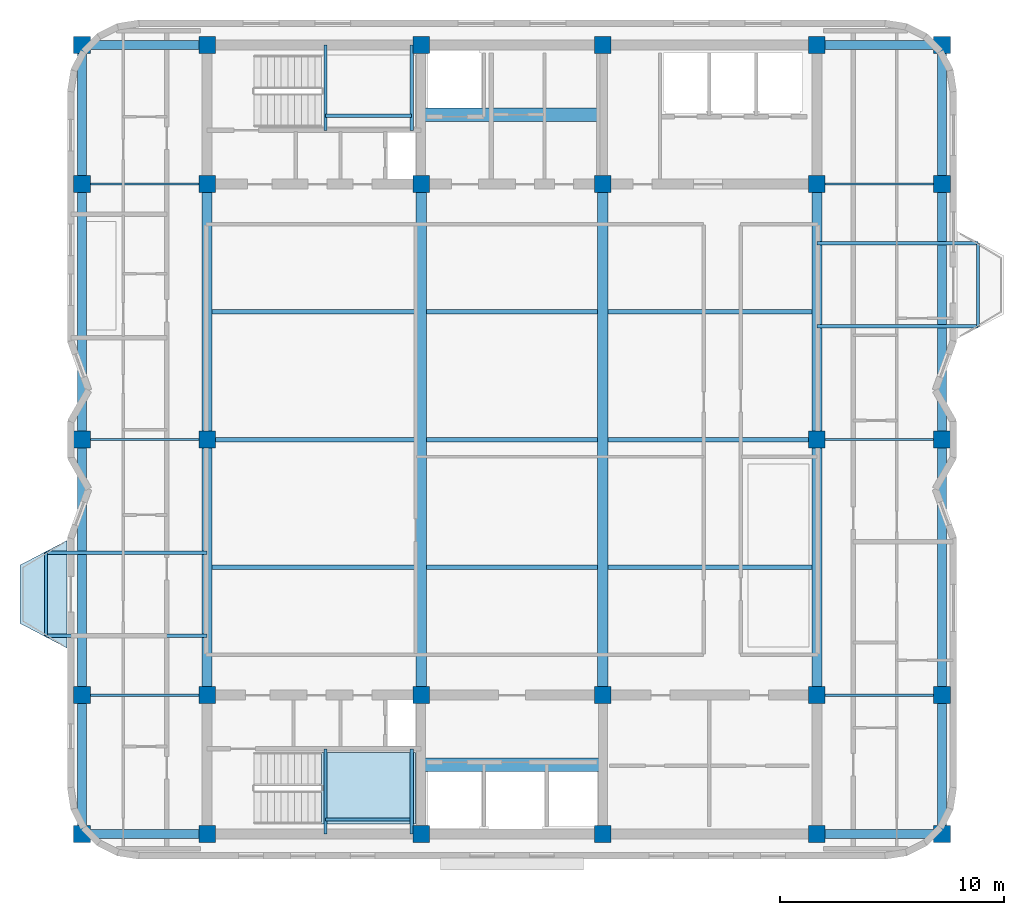
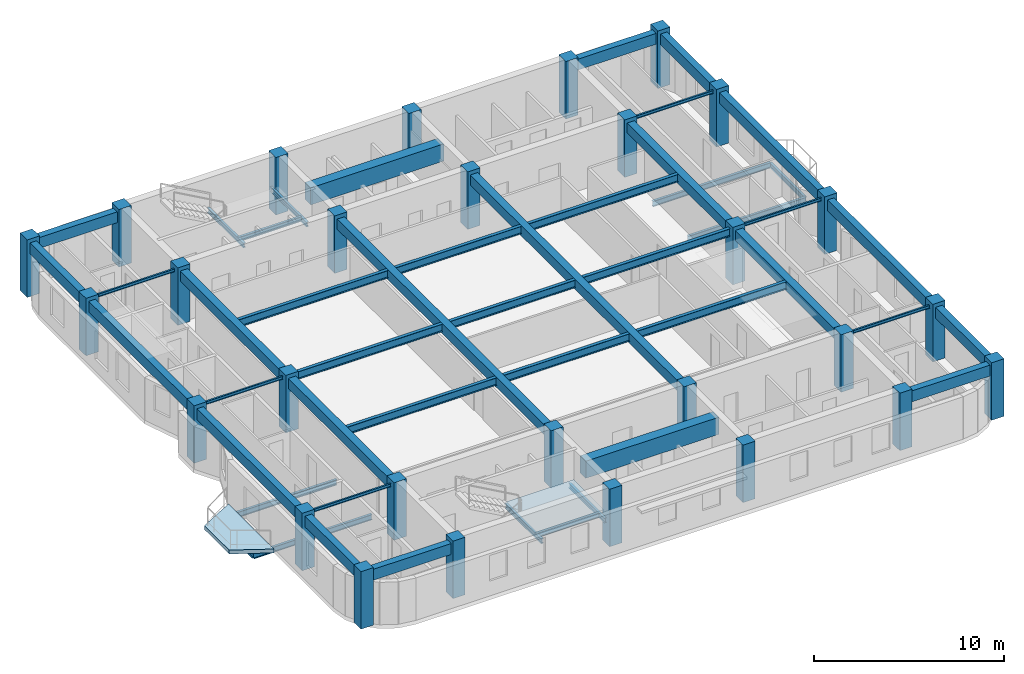
# One storey, part 1 of 9: 47 beams, 28 columns, 2 slabs, 1 element without a shape of its own.
"""IFC4 building model written with IfcOpenShell, lengths in metres."""

from ifc_helpers import new_model, si_unit, direction, frame, origin, origin_2d, place, context, subcontext, project, spatial, polyline, rectangle, i_section, outline, extrude, material, layer, layer_set, material_profile, profile_set, type_object, element, aggregate, save


model = new_model("IFC4")

# Units and contexts
model_context = context("Model", 3, precision=1e-05, world=origin(), true_north=direction((0.0, 1.0)))
body_context = subcontext(model_context, "Body", "Model", "MODEL_VIEW")
ifc_project = project(units=[si_unit("LENGTHUNIT", "METRE"), si_unit("AREAUNIT", "SQUARE_METRE"), si_unit("VOLUMEUNIT", "CUBIC_METRE"), si_unit("PLANEANGLEUNIT", "RADIAN"), si_unit("MASSUNIT", "GRAM", prefix="KILO")], contexts=[model_context])

# Site, building, storey
site_placement = place(None, origin())
site = spatial("IfcSite", under=ifc_project, at=site_placement, CompositionType="ELEMENT")
building_placement = place(site_placement, origin())
building = spatial("IfcBuilding", under=site, at=building_placement, Name="Svetorya Sky Lyceum", CompositionType="ELEMENT")
storey_placement = place(building_placement, frame((0.0, 0.0, 271.300048828125)))
storey = spatial("IfcBuildingStorey", under=building, at=storey_placement, Name="L68", CompositionType="ELEMENT", Elevation=271.300048828125)

# Columns
ifc_material_1 = material(Name="Concrete C40/50", Category="concrete")
ifc_material_profile_1 = material_profile(ifc_material_1, rectangle(XDim=0.75, YDim=0.75, at=origin_2d()), Name="RC COL 750x750")
ifc_profile_set_1 = profile_set([ifc_material_profile_1], Name="Concrete C40/50")
column_type = type_object("IfcColumnType", Name="COL-RC-750", PredefinedType="COLUMN", material=ifc_profile_set_1)
for number, where, z_axis, x_axis, name in (
    (1, (25.60009765625, 10.60009765625, 0.0), (0.0, 0.0, 1.0), (1.0, 0.0, 0.0), "L68 Core Column CS-11"),
    (2, (25.60009765625, 16.800048828125, 0.0), (0.0, 0.0, 1.0), (1.0, 0.0, 0.0), "L68 Core Column CS-12"),
    (3, (35.14990234375, 10.60009765625, 0.0), (0.0, 0.0, 1.0), (1.0, 0.0, 0.0), "L68 Core Column CS-21"),
    (4, (35.14990234375, 16.800048828125, 0.0), (0.0, 0.0, 1.0), (1.0, 0.0, 0.0), "L68 Core Column CS-22"),
    (5, (43.25, 10.60009765625, 0.0), (0.0, 0.0, 1.0), (1.0, 0.0, 0.0), "L68 Core Column CS-31"),
    (6, (43.25, 16.800048828125, 0.0), (0.0, 0.0, 1.0), (1.0, 0.0, 0.0), "L68 Core Column CS-32"),
    (7, (52.800048828125, 10.60009765625, 0.0), (0.0, 0.0, 1.0), (1.0, 0.0, 0.0), "L68 Core Column CS-41"),
    (8, (52.800048828125, 16.800048828125, 0.0), (0.0, 0.0, 1.0), (1.0, 0.0, 0.0), "L68 Core Column CS-42"),
    (9, (25.60009765625, 39.60009765625, 0.0), (0.0, 0.0, 1.0), (1.0, 0.0, 0.0), "L68 Core Column CN-11"),
    (10, (25.60009765625, 45.800048828125, 0.0), (0.0, 0.0, 1.0), (1.0, 0.0, 0.0), "L68 Core Column CN-12"),
    (11, (35.14990234375, 39.60009765625, 0.0), (0.0, 0.0, 1.0), (1.0, 0.0, 0.0), "L68 Core Column CN-21"),
    (12, (35.14990234375, 45.800048828125, 0.0), (0.0, 0.0, 1.0), (1.0, 0.0, 0.0), "L68 Core Column CN-22"),
    (13, (43.25, 39.60009765625, 0.0), (0.0, 0.0, 1.0), (1.0, 0.0, 0.0), "L68 Core Column CN-31"),
    (14, (43.25, 45.800048828125, 0.0), (0.0, 0.0, 1.0), (1.0, 0.0, 0.0), "L68 Core Column CN-32"),
    (15, (52.800048828125, 39.60009765625, 0.0), (0.0, 0.0, 1.0), (1.0, 0.0, 0.0), "L68 Core Column CN-41"),
    (16, (52.800048828125, 45.800048828125, 0.0), (0.0, 0.0, 1.0), (1.0, 0.0, 0.0), "L68 Core Column CN-42"),
    (17, (25.60009765625, 28.199951171875, 0.0), (0.0, 0.0, 1.0), (1.0, 0.0, 0.0), "L68 Core Column CM-W"),
    (18, (52.800048828125, 28.199951171875, 0.0), (0.0, 0.0, 1.0), (1.0, 0.0, 0.0), "L68 Core Column CM-E"),
    (19, (20.010009765625, 10.60009765625, 0.0), (0.0, 0.0, 1.0), (1.0, 0.0, 0.0), "L68 Perimeter Column W1"),
    (20, (58.389892578125, 10.60009765625, 0.0), (0.0, 0.0, 1.0), (1.0, 0.0, 0.0), "L68 Perimeter Column E1"),
    (21, (20.010009765625, 16.800048828125, 0.0), (0.0, 0.0, 1.0), (1.0, 0.0, 0.0), "L68 Perimeter Column W2"),
    (22, (58.389892578125, 16.800048828125, 0.0), (0.0, 0.0, 1.0), (1.0, 0.0, 0.0), "L68 Perimeter Column E2"),
    (23, (20.010009765625, 28.199951171875, 0.0), (0.0, 0.0, 1.0), (1.0, 0.0, 0.0), "L68 Perimeter Column W3"),
    (24, (58.389892578125, 28.199951171875, 0.0), (0.0, 0.0, 1.0), (1.0, 0.0, 0.0), "L68 Perimeter Column E3"),
    (25, (20.010009765625, 39.60009765625, 0.0), (0.0, 0.0, 1.0), (1.0, 0.0, 0.0), "L68 Perimeter Column W4"),
    (26, (58.389892578125, 39.60009765625, 0.0), (0.0, 0.0, 1.0), (1.0, 0.0, 0.0), "L68 Perimeter Column E4"),
    (27, (20.010009765625, 45.800048828125, 0.0), (0.0, 0.0, 1.0), (1.0, 0.0, 0.0), "L68 Perimeter Column W5"),
    (28, (58.389892578125, 45.800048828125, 0.0), (0.0, 0.0, 1.0), (1.0, 0.0, 0.0), "L68 Perimeter Column E5"),
):
    element("IfcColumn", number, at=place(storey_placement, frame(where, z_axis=z_axis, x_axis=x_axis)), inside=storey, type_object=column_type, Name=name, PredefinedType="COLUMN", context=body_context, shape_type="SweptSolid", body=[
        extrude(rectangle(XDim=0.75, YDim=0.75, at=origin_2d()), origin(), (0.0, 0.0, 1.0), 3.699951171875),
    ])

# Beams
ifc_material_2 = material(Name="Concrete C60/75", Category="concrete")
ifc_material_profile_2 = material_profile(ifc_material_2, rectangle(XDim=0.60009765625, YDim=1.10009765625, at=origin_2d()), Name="RC COUPLING 600x1100")
ifc_profile_set_2 = profile_set([ifc_material_profile_2], Name="Concrete C60/75")
beam_type_1 = type_object("IfcBeamType", Name="BM-CPL-1100", PredefinedType="LINTEL", material=ifc_profile_set_2)
for number, where, z_axis, x_axis, name in (
    (29, (35.14990234375, 13.699951171875, 2.89990234375), (1.0, 0.0, 0.0), (0.0, 1.0, 0.0), "L68 SC Core Coupling Beam"),
    (30, (35.14990234375, 42.699951171875, 2.89990234375), (1.0, 0.0, 0.0), (0.0, 1.0, 0.0), "L68 NC Core Coupling Beam"),
):
    element("IfcBeam", number, at=place(storey_placement, frame(where, z_axis=z_axis, x_axis=x_axis)), inside=storey, type_object=beam_type_1, Name=name, PredefinedType="LINTEL", context=body_context, shape_type="SweptSolid", body=[
        extrude(rectangle(XDim=0.60009765625, YDim=1.10009765625, at=origin_2d()), origin(), (0.0, 0.0, 1.0), 8.10009765625),
    ])
ifc_material_profile_3 = material_profile(ifc_material_1, rectangle(XDim=0.449951171875, YDim=0.64990234375, at=origin_2d()), Name="RC BEAM 450x650")
ifc_profile_set_3 = profile_set([ifc_material_profile_3], Name="Concrete C40/50")
beam_type_2 = type_object("IfcBeamType", Name="BM-RC-650", PredefinedType="BEAM", material=ifc_profile_set_3)
beam_1_placement = place(storey_placement, frame((25.60009765625, 16.800048828125, 3.125), z_axis=(0.0, 1.0, 0.0), x_axis=(-1.0, 0.0, 0.0)))
element("IfcBeam", 31, at=beam_1_placement, inside=storey, type_object=beam_type_2, Name="L68 Central Bay Primary Girder CG-1A", PredefinedType="BEAM", context=body_context, shape_type="SweptSolid", body=[
    extrude(rectangle(XDim=0.449951171875, YDim=0.64990234375, at=origin_2d()), origin(), (0.0, 0.0, 1.0), 11.39990234375),
])
beam_2_placement = place(storey_placement, frame((25.60009765625, 28.199951171875, 3.125), z_axis=(0.0, 1.0, 0.0), x_axis=(-1.0, 0.0, 0.0)))
element("IfcBeam", 32, at=beam_2_placement, inside=storey, type_object=beam_type_2, Name="L68 Central Bay Primary Girder CG-1B", PredefinedType="BEAM", context=body_context, shape_type="SweptSolid", body=[
    extrude(rectangle(XDim=0.449951171875, YDim=0.64990234375, at=origin_2d()), origin(), (0.0, 0.0, 1.0), 11.400146484375),
])
for number, where, z_axis, x_axis, name in (
    (33, (35.14990234375, 16.800048828125, 3.125), (0.0, 1.0, 0.0), (-1.0, 0.0, 0.0), "L68 Central Bay Primary Girder CG-2"),
    (34, (43.25, 16.800048828125, 3.125), (0.0, 1.0, 0.0), (-1.0, 0.0, 0.0), "L68 Central Bay Primary Girder CG-3"),
):
    element("IfcBeam", number, at=place(storey_placement, frame(where, z_axis=z_axis, x_axis=x_axis)), inside=storey, type_object=beam_type_2, Name=name, PredefinedType="BEAM", context=body_context, shape_type="SweptSolid", body=[
        extrude(rectangle(XDim=0.449951171875, YDim=0.64990234375, at=origin_2d()), origin(), (0.0, 0.0, 1.0), 22.800048828125),
    ])
beam_3_placement = place(storey_placement, frame((52.800048828125, 16.800048828125, 3.125), z_axis=(0.0, 1.0, 0.0), x_axis=(-1.0, 0.0, 0.0)))
element("IfcBeam", 35, at=beam_3_placement, inside=storey, type_object=beam_type_2, Name="L68 Central Bay Primary Girder CG-4A", PredefinedType="BEAM", context=body_context, shape_type="SweptSolid", body=[
    extrude(rectangle(XDim=0.449951171875, YDim=0.64990234375, at=origin_2d()), origin(), (0.0, 0.0, 1.0), 11.39990234375),
])
beam_4_placement = place(storey_placement, frame((52.800048828125, 28.199951171875, 3.125), z_axis=(0.0, 1.0, 0.0), x_axis=(-1.0, 0.0, 0.0)))
element("IfcBeam", 36, at=beam_4_placement, inside=storey, type_object=beam_type_2, Name="L68 Central Bay Primary Girder CG-4B", PredefinedType="BEAM", context=body_context, shape_type="SweptSolid", body=[
    extrude(rectangle(XDim=0.449951171875, YDim=0.64990234375, at=origin_2d()), origin(), (0.0, 0.0, 1.0), 11.400146484375),
])
ifc_material_3 = material(Name="Concrete C50/60", Category="concrete")
ifc_material_profile_4 = material_profile(ifc_material_3, rectangle(XDim=0.39990234375, YDim=0.699951171875, at=origin_2d()), Name="RC SPANDREL 400x700")
ifc_profile_set_4 = profile_set([ifc_material_profile_4], Name="Concrete C50/60")
beam_type_3 = type_object("IfcBeamType", Name="BM-SPN-700", PredefinedType="SPANDREL", material=ifc_profile_set_4)
for number, where, z_axis, x_axis, name in (
    (37, (20.010009765625, 10.60009765625, 3.099853515625), (1.0, 0.0, 0.0), (0.0, 1.0, 0.0), "L68 Tie Spandrel SW"),
    (38, (20.010009765625, 45.800048828125, 3.099853515625), (1.0, 0.0, 0.0), (0.0, 1.0, 0.0), "L68 Tie Spandrel NW"),
):
    element("IfcBeam", number, at=place(storey_placement, frame(where, z_axis=z_axis, x_axis=x_axis)), inside=storey, type_object=beam_type_3, Name=name, PredefinedType="SPANDREL", context=body_context, shape_type="SweptSolid", body=[
        extrude(rectangle(XDim=0.39990234375, YDim=0.699951171875, at=origin_2d()), origin(), (0.0, 0.0, 1.0), 5.590087890625),
    ])
for number, where, z_axis, x_axis, name in (
    (39, (52.800048828125, 10.60009765625, 3.099853515625), (1.0, 0.0, 0.0), (0.0, 1.0, 0.0), "L68 Tie Spandrel SE"),
    (40, (52.800048828125, 45.800048828125, 3.099853515625), (1.0, 0.0, 0.0), (0.0, 1.0, 0.0), "L68 Tie Spandrel NE"),
):
    element("IfcBeam", number, at=place(storey_placement, frame(where, z_axis=z_axis, x_axis=x_axis)), inside=storey, type_object=beam_type_3, Name=name, PredefinedType="SPANDREL", context=body_context, shape_type="SweptSolid", body=[
        extrude(rectangle(XDim=0.39990234375, YDim=0.699951171875, at=origin_2d()), origin(), (0.0, 0.0, 1.0), 5.58984375),
    ])
beam_5_placement = place(storey_placement, frame((20.010009765625, 10.60009765625, 3.099853515625), z_axis=(0.0, 1.0, 0.0), x_axis=(-1.0, 0.0, 0.0)))
element("IfcBeam", 41, at=beam_5_placement, inside=storey, type_object=beam_type_3, Name="L68 West Spandrel 1", PredefinedType="SPANDREL", context=body_context, shape_type="SweptSolid", body=[
    extrude(rectangle(XDim=0.39990234375, YDim=0.699951171875, at=origin_2d()), origin(), (0.0, 0.0, 1.0), 6.199951171875),
])
beam_6_placement = place(storey_placement, frame((20.010009765625, 16.800048828125, 3.099853515625), z_axis=(0.0, 1.0, 0.0), x_axis=(-1.0, 0.0, 0.0)))
element("IfcBeam", 42, at=beam_6_placement, inside=storey, type_object=beam_type_3, Name="L68 West Spandrel 2", PredefinedType="SPANDREL", context=body_context, shape_type="SweptSolid", body=[
    extrude(rectangle(XDim=0.39990234375, YDim=0.699951171875, at=origin_2d()), origin(), (0.0, 0.0, 1.0), 11.39990234375),
])
beam_7_placement = place(storey_placement, frame((20.010009765625, 28.199951171875, 3.099853515625), z_axis=(0.0, 1.0, 0.0), x_axis=(-1.0, 0.0, 0.0)))
element("IfcBeam", 43, at=beam_7_placement, inside=storey, type_object=beam_type_3, Name="L68 West Spandrel 3", PredefinedType="SPANDREL", context=body_context, shape_type="SweptSolid", body=[
    extrude(rectangle(XDim=0.39990234375, YDim=0.699951171875, at=origin_2d()), origin(), (0.0, 0.0, 1.0), 11.400146484375),
])
for number, where, z_axis, x_axis, name in (
    (44, (20.010009765625, 39.60009765625, 3.099853515625), (0.0, 1.0, 0.0), (-1.0, 0.0, 0.0), "L68 West Spandrel 4"),
    (45, (58.389892578125, 10.60009765625, 3.099853515625), (0.0, 1.0, 0.0), (-1.0, 0.0, 0.0), "L68 East Spandrel 1"),
):
    element("IfcBeam", number, at=place(storey_placement, frame(where, z_axis=z_axis, x_axis=x_axis)), inside=storey, type_object=beam_type_3, Name=name, PredefinedType="SPANDREL", context=body_context, shape_type="SweptSolid", body=[
        extrude(rectangle(XDim=0.39990234375, YDim=0.699951171875, at=origin_2d()), origin(), (0.0, 0.0, 1.0), 6.199951171875),
    ])
beam_8_placement = place(storey_placement, frame((58.389892578125, 16.800048828125, 3.099853515625), z_axis=(0.0, 1.0, 0.0), x_axis=(-1.0, 0.0, 0.0)))
element("IfcBeam", 46, at=beam_8_placement, inside=storey, type_object=beam_type_3, Name="L68 East Spandrel 2", PredefinedType="SPANDREL", context=body_context, shape_type="SweptSolid", body=[
    extrude(rectangle(XDim=0.39990234375, YDim=0.699951171875, at=origin_2d()), origin(), (0.0, 0.0, 1.0), 11.39990234375),
])
beam_9_placement = place(storey_placement, frame((58.389892578125, 28.199951171875, 3.099853515625), z_axis=(0.0, 1.0, 0.0), x_axis=(-1.0, 0.0, 0.0)))
element("IfcBeam", 47, at=beam_9_placement, inside=storey, type_object=beam_type_3, Name="L68 East Spandrel 3", PredefinedType="SPANDREL", context=body_context, shape_type="SweptSolid", body=[
    extrude(rectangle(XDim=0.39990234375, YDim=0.699951171875, at=origin_2d()), origin(), (0.0, 0.0, 1.0), 11.400146484375),
])
beam_10_placement = place(storey_placement, frame((58.389892578125, 39.60009765625, 3.099853515625), z_axis=(0.0, 1.0, 0.0), x_axis=(-1.0, 0.0, 0.0)))
element("IfcBeam", 48, at=beam_10_placement, inside=storey, type_object=beam_type_3, Name="L68 East Spandrel 4", PredefinedType="SPANDREL", context=body_context, shape_type="SweptSolid", body=[
    extrude(rectangle(XDim=0.39990234375, YDim=0.699951171875, at=origin_2d()), origin(), (0.0, 0.0, 1.0), 6.199951171875),
])
ifc_material_4 = material(Name="Steel S355", Category="steel")
ifc_material_profile_5 = material_profile(ifc_material_4, i_section(OverallWidth=0.10009765625, OverallDepth=0.199951171875, WebThickness=0.005615234375, FlangeThickness=0.008544921875, at=origin_2d()), Name="GOST 20B1")
ifc_profile_set_5 = profile_set([ifc_material_profile_5], Name="Steel S355")
beam_type_4 = type_object("IfcBeamType", Name="BM-STL-20B1", PredefinedType="JOIST", material=ifc_profile_set_5)
beam_11_placement = place(storey_placement, frame((20.010009765625, 16.800048828125, 3.349853515625), z_axis=(1.0, 0.0, 0.0), x_axis=(0.0, 1.0, 0.0)))
element("IfcBeam", 49, at=beam_11_placement, inside=storey, type_object=beam_type_4, Name="L68 West Wing Floor Joist W2", PredefinedType="JOIST", context=body_context, shape_type="SweptSolid", body=[
    extrude(i_section(OverallWidth=0.10009765625, OverallDepth=0.199951171875, WebThickness=0.005615234375, FlangeThickness=0.008544921875, at=origin_2d()), origin(), (0.0, 0.0, 1.0), 5.590087890625),
])
beam_12_placement = place(storey_placement, frame((52.800048828125, 16.800048828125, 3.349853515625), z_axis=(1.0, 0.0, 0.0), x_axis=(0.0, 1.0, 0.0)))
element("IfcBeam", 50, at=beam_12_placement, inside=storey, type_object=beam_type_4, Name="L68 East Wing Floor Joist E2", PredefinedType="JOIST", context=body_context, shape_type="SweptSolid", body=[
    extrude(i_section(OverallWidth=0.10009765625, OverallDepth=0.199951171875, WebThickness=0.005615234375, FlangeThickness=0.008544921875, at=origin_2d()), origin(), (0.0, 0.0, 1.0), 5.58984375),
])
beam_13_placement = place(storey_placement, frame((20.010009765625, 28.199951171875, 3.349853515625), z_axis=(1.0, 0.0, 0.0), x_axis=(0.0, 1.0, 0.0)))
element("IfcBeam", 51, at=beam_13_placement, inside=storey, type_object=beam_type_4, Name="L68 West Wing Floor Joist W3", PredefinedType="JOIST", context=body_context, shape_type="SweptSolid", body=[
    extrude(i_section(OverallWidth=0.10009765625, OverallDepth=0.199951171875, WebThickness=0.005615234375, FlangeThickness=0.008544921875, at=origin_2d()), origin(), (0.0, 0.0, 1.0), 5.590087890625),
])
beam_14_placement = place(storey_placement, frame((52.800048828125, 28.199951171875, 3.349853515625), z_axis=(1.0, 0.0, 0.0), x_axis=(0.0, 1.0, 0.0)))
element("IfcBeam", 52, at=beam_14_placement, inside=storey, type_object=beam_type_4, Name="L68 East Wing Floor Joist E3", PredefinedType="JOIST", context=body_context, shape_type="SweptSolid", body=[
    extrude(i_section(OverallWidth=0.10009765625, OverallDepth=0.199951171875, WebThickness=0.005615234375, FlangeThickness=0.008544921875, at=origin_2d()), origin(), (0.0, 0.0, 1.0), 5.58984375),
])
beam_15_placement = place(storey_placement, frame((20.010009765625, 39.60009765625, 3.349853515625), z_axis=(1.0, 0.0, 0.0), x_axis=(0.0, 1.0, 0.0)))
element("IfcBeam", 53, at=beam_15_placement, inside=storey, type_object=beam_type_4, Name="L68 West Wing Floor Joist W4", PredefinedType="JOIST", context=body_context, shape_type="SweptSolid", body=[
    extrude(i_section(OverallWidth=0.10009765625, OverallDepth=0.199951171875, WebThickness=0.005615234375, FlangeThickness=0.008544921875, at=origin_2d()), origin(), (0.0, 0.0, 1.0), 5.590087890625),
])
beam_16_placement = place(storey_placement, frame((52.800048828125, 39.60009765625, 3.349853515625), z_axis=(1.0, 0.0, 0.0), x_axis=(0.0, 1.0, 0.0)))
element("IfcBeam", 54, at=beam_16_placement, inside=storey, type_object=beam_type_4, Name="L68 East Wing Floor Joist E4", PredefinedType="JOIST", context=body_context, shape_type="SweptSolid", body=[
    extrude(i_section(OverallWidth=0.10009765625, OverallDepth=0.199951171875, WebThickness=0.005615234375, FlangeThickness=0.008544921875, at=origin_2d()), origin(), (0.0, 0.0, 1.0), 5.58984375),
])
ifc_material_profile_6 = material_profile(ifc_material_4, i_section(OverallWidth=0.14990234375, OverallDepth=0.299072265625, WebThickness=0.006591796875, FlangeThickness=0.010498046875, at=origin_2d()), Name="GOST 30B2")
ifc_profile_set_6 = profile_set([ifc_material_profile_6], Name="Steel S355")
beam_type_5 = type_object("IfcBeamType", Name="BM-STL-30B2", PredefinedType="JOIST", material=ifc_profile_set_6)
for number, where, z_axis, x_axis, name in (
    (55, (18.409912109375, 19.449951171875, -0.424560546875), (0.0, 1.0, 0.0), (-1.0, 0.0, 0.0), "L68 Balcony Edge Tie BAL-W1"),
    (56, (59.989990234375, 33.25, -0.424560546875), (0.0, 1.0, 0.0), (-1.0, 0.0, 0.0), "L68 Balcony Edge Tie BAL-E1"),
):
    element("IfcBeam", number, at=place(storey_placement, frame(where, z_axis=z_axis, x_axis=x_axis)), inside=storey, type_object=beam_type_5, Name=name, PredefinedType="JOIST", context=body_context, shape_type="SweptSolid", body=[
        extrude(i_section(OverallWidth=0.14990234375, OverallDepth=0.299072265625, WebThickness=0.006591796875, FlangeThickness=0.010498046875, at=origin_2d()), origin(), (0.0, 0.0, 1.0), 3.699951171875),
    ])
for number, where, z_axis, x_axis, name in (
    (57, (30.8798828125, 10.60009765625, 1.50048828125), (0.0, 1.0, 0.0), (-1.0, 0.0, 0.0), "L68 Stair ST-S Half-Landing Support Beam 76.1"),
    (58, (34.719970703125, 10.60009765625, 1.50048828125), (0.0, 1.0, 0.0), (-1.0, 0.0, 0.0), "L68 Stair ST-S Half-Landing Support Beam 76.2"),
):
    element("IfcBeam", number, at=place(storey_placement, frame(where, z_axis=z_axis, x_axis=x_axis)), inside=storey, type_object=beam_type_5, Name=name, PredefinedType="JOIST", context=body_context, shape_type="SweptSolid", body=[
        extrude(i_section(OverallWidth=0.14990234375, OverallDepth=0.299072265625, WebThickness=0.006591796875, FlangeThickness=0.010498046875, at=origin_2d()), origin(), (0.0, 0.0, 1.0), 3.7998046875),
    ])
beam_17_placement = place(storey_placement, frame((30.8798828125, 11.25, 1.50048828125), z_axis=(1.0, 0.0, 0.0), x_axis=(0.0, 1.0, 0.0)))
element("IfcBeam", 59, at=beam_17_placement, inside=storey, type_object=beam_type_5, Name="L68 Stair ST-S Half-Landing Cross Tie 76", PredefinedType="JOIST", context=body_context, shape_type="SweptSolid", body=[
    extrude(i_section(OverallWidth=0.14990234375, OverallDepth=0.299072265625, WebThickness=0.006591796875, FlangeThickness=0.010498046875, at=origin_2d()), origin(), (0.0, 0.0, 1.0), 3.840087890625),
])
for number, where, z_axis, x_axis, name in (
    (60, (30.8798828125, 42.0, 1.50048828125), (0.0, 1.0, 0.0), (-1.0, 0.0, 0.0), "L68 Stair ST-N Half-Landing Support Beam 76.1"),
    (61, (34.719970703125, 42.0, 1.50048828125), (0.0, 1.0, 0.0), (-1.0, 0.0, 0.0), "L68 Stair ST-N Half-Landing Support Beam 76.2"),
):
    element("IfcBeam", number, at=place(storey_placement, frame(where, z_axis=z_axis, x_axis=x_axis)), inside=storey, type_object=beam_type_5, Name=name, PredefinedType="JOIST", context=body_context, shape_type="SweptSolid", body=[
        extrude(i_section(OverallWidth=0.14990234375, OverallDepth=0.299072265625, WebThickness=0.006591796875, FlangeThickness=0.010498046875, at=origin_2d()), origin(), (0.0, 0.0, 1.0), 3.800048828125),
    ])
beam_18_placement = place(storey_placement, frame((30.8798828125, 42.64990234375, 1.50048828125), z_axis=(1.0, 0.0, 0.0), x_axis=(0.0, 1.0, 0.0)))
element("IfcBeam", 62, at=beam_18_placement, inside=storey, type_object=beam_type_5, Name="L68 Stair ST-N Half-Landing Cross Tie 76", PredefinedType="JOIST", context=body_context, shape_type="SweptSolid", body=[
    extrude(i_section(OverallWidth=0.14990234375, OverallDepth=0.299072265625, WebThickness=0.006591796875, FlangeThickness=0.010498046875, at=origin_2d()), origin(), (0.0, 0.0, 1.0), 3.840087890625),
])
ifc_material_profile_7 = material_profile(ifc_material_4, i_section(OverallWidth=0.155029296875, OverallDepth=0.34912109375, WebThickness=0.007080078125, FlangeThickness=0.011474609375, at=origin_2d()), Name="GOST 35B2")
ifc_profile_set_7 = profile_set([ifc_material_profile_7], Name="Steel S355")
beam_type_6 = type_object("IfcBeamType", Name="BM-STL-35B2", PredefinedType="JOIST", material=ifc_profile_set_7)
for number, where, z_axis, x_axis, name in (
    (63, (25.60009765625, 19.449951171875, -0.424560546875), (-1.0, 0.0, 0.0), (0.0, -1.0, 0.0), "L68 Balcony Cantilever Beam BAL-W1-1"),
    (64, (25.60009765625, 23.14990234375, -0.424560546875), (-1.0, 0.0, 0.0), (0.0, -1.0, 0.0), "L68 Balcony Cantilever Beam BAL-W1-2"),
):
    element("IfcBeam", number, at=place(storey_placement, frame(where, z_axis=z_axis, x_axis=x_axis)), inside=storey, type_object=beam_type_6, Name=name, PredefinedType="JOIST", context=body_context, shape_type="SweptSolid", body=[
        extrude(i_section(OverallWidth=0.155029296875, OverallDepth=0.34912109375, WebThickness=0.007080078125, FlangeThickness=0.011474609375, at=origin_2d()), origin(), (0.0, 0.0, 1.0), 7.190185546875),
    ])
for number, where, z_axis, x_axis, name in (
    (65, (52.800048828125, 33.25, -0.424560546875), (1.0, 0.0, 0.0), (0.0, 1.0, 0.0), "L68 Balcony Cantilever Beam BAL-E1-1"),
    (66, (52.800048828125, 36.949951171875, -0.424560546875), (1.0, 0.0, 0.0), (0.0, 1.0, 0.0), "L68 Balcony Cantilever Beam BAL-E1-2"),
):
    element("IfcBeam", number, at=place(storey_placement, frame(where, z_axis=z_axis, x_axis=x_axis)), inside=storey, type_object=beam_type_6, Name=name, PredefinedType="JOIST", context=body_context, shape_type="SweptSolid", body=[
        extrude(i_section(OverallWidth=0.155029296875, OverallDepth=0.34912109375, WebThickness=0.007080078125, FlangeThickness=0.011474609375, at=origin_2d()), origin(), (0.0, 0.0, 1.0), 7.18994140625),
    ])
ifc_material_profile_8 = material_profile(ifc_material_4, i_section(OverallWidth=0.198974609375, OverallDepth=0.498046875, WebThickness=0.010009765625, FlangeThickness=0.01611328125, at=origin_2d()), Name="GOST 50B2")
ifc_profile_set_8 = profile_set([ifc_material_profile_8], Name="Steel S355")
beam_type_7 = type_object("IfcBeamType", Name="BM-STL-50B2", PredefinedType="BEAM", material=ifc_profile_set_8)
beam_19_placement = place(storey_placement, frame((25.824951171875, 22.5, 3.200927734375), z_axis=(1.0, 0.0, 0.0), x_axis=(0.0, 1.0, 0.0)))
element("IfcBeam", 67, at=beam_19_placement, inside=storey, type_object=beam_type_7, Name="L68 Central Floor Joist CJ-1.1", PredefinedType="BEAM", context=body_context, shape_type="SweptSolid", body=[
    extrude(i_section(OverallWidth=0.198974609375, OverallDepth=0.498046875, WebThickness=0.010009765625, FlangeThickness=0.01611328125, at=origin_2d()), origin(), (0.0, 0.0, 1.0), 9.10009765625),
])
beam_20_placement = place(storey_placement, frame((35.375, 22.5, 3.200927734375), z_axis=(1.0, 0.0, 0.0), x_axis=(0.0, 1.0, 0.0)))
element("IfcBeam", 68, at=beam_20_placement, inside=storey, type_object=beam_type_7, Name="L68 Central Floor Joist CJ-1.2", PredefinedType="BEAM", context=body_context, shape_type="SweptSolid", body=[
    extrude(i_section(OverallWidth=0.198974609375, OverallDepth=0.498046875, WebThickness=0.010009765625, FlangeThickness=0.01611328125, at=origin_2d()), origin(), (0.0, 0.0, 1.0), 7.64990234375),
])
beam_21_placement = place(storey_placement, frame((43.47509765625, 22.5, 3.200927734375), z_axis=(1.0, 0.0, 0.0), x_axis=(0.0, 1.0, 0.0)))
element("IfcBeam", 69, at=beam_21_placement, inside=storey, type_object=beam_type_7, Name="L68 Central Floor Joist CJ-1.3", PredefinedType="BEAM", context=body_context, shape_type="SweptSolid", body=[
    extrude(i_section(OverallWidth=0.198974609375, OverallDepth=0.498046875, WebThickness=0.010009765625, FlangeThickness=0.01611328125, at=origin_2d()), origin(), (0.0, 0.0, 1.0), 9.099853515625),
])
beam_22_placement = place(storey_placement, frame((25.824951171875, 28.199951171875, 3.200927734375), z_axis=(1.0, 0.0, 0.0), x_axis=(0.0, 1.0, 0.0)))
element("IfcBeam", 70, at=beam_22_placement, inside=storey, type_object=beam_type_7, Name="L68 Central Floor Joist CJ-2.1", PredefinedType="BEAM", context=body_context, shape_type="SweptSolid", body=[
    extrude(i_section(OverallWidth=0.198974609375, OverallDepth=0.498046875, WebThickness=0.010009765625, FlangeThickness=0.01611328125, at=origin_2d()), origin(), (0.0, 0.0, 1.0), 9.10009765625),
])
beam_23_placement = place(storey_placement, frame((35.375, 28.199951171875, 3.200927734375), z_axis=(1.0, 0.0, 0.0), x_axis=(0.0, 1.0, 0.0)))
element("IfcBeam", 71, at=beam_23_placement, inside=storey, type_object=beam_type_7, Name="L68 Central Floor Joist CJ-2.2", PredefinedType="BEAM", context=body_context, shape_type="SweptSolid", body=[
    extrude(i_section(OverallWidth=0.198974609375, OverallDepth=0.498046875, WebThickness=0.010009765625, FlangeThickness=0.01611328125, at=origin_2d()), origin(), (0.0, 0.0, 1.0), 7.64990234375),
])
beam_24_placement = place(storey_placement, frame((43.47509765625, 28.199951171875, 3.200927734375), z_axis=(1.0, 0.0, 0.0), x_axis=(0.0, 1.0, 0.0)))
element("IfcBeam", 72, at=beam_24_placement, inside=storey, type_object=beam_type_7, Name="L68 Central Floor Joist CJ-2.3", PredefinedType="BEAM", context=body_context, shape_type="SweptSolid", body=[
    extrude(i_section(OverallWidth=0.198974609375, OverallDepth=0.498046875, WebThickness=0.010009765625, FlangeThickness=0.01611328125, at=origin_2d()), origin(), (0.0, 0.0, 1.0), 9.099853515625),
])
beam_25_placement = place(storey_placement, frame((25.824951171875, 33.89990234375, 3.200927734375), z_axis=(1.0, 0.0, 0.0), x_axis=(0.0, 1.0, 0.0)))
element("IfcBeam", 73, at=beam_25_placement, inside=storey, type_object=beam_type_7, Name="L68 Central Floor Joist CJ-3.1", PredefinedType="BEAM", context=body_context, shape_type="SweptSolid", body=[
    extrude(i_section(OverallWidth=0.198974609375, OverallDepth=0.498046875, WebThickness=0.010009765625, FlangeThickness=0.01611328125, at=origin_2d()), origin(), (0.0, 0.0, 1.0), 9.10009765625),
])
beam_26_placement = place(storey_placement, frame((35.375, 33.89990234375, 3.200927734375), z_axis=(1.0, 0.0, 0.0), x_axis=(0.0, 1.0, 0.0)))
element("IfcBeam", 74, at=beam_26_placement, inside=storey, type_object=beam_type_7, Name="L68 Central Floor Joist CJ-3.2", PredefinedType="BEAM", context=body_context, shape_type="SweptSolid", body=[
    extrude(i_section(OverallWidth=0.198974609375, OverallDepth=0.498046875, WebThickness=0.010009765625, FlangeThickness=0.01611328125, at=origin_2d()), origin(), (0.0, 0.0, 1.0), 7.64990234375),
])
beam_27_placement = place(storey_placement, frame((43.47509765625, 33.89990234375, 3.200927734375), z_axis=(1.0, 0.0, 0.0), x_axis=(0.0, 1.0, 0.0)))
element("IfcBeam", 75, at=beam_27_placement, inside=storey, type_object=beam_type_7, Name="L68 Central Floor Joist CJ-3.3", PredefinedType="BEAM", context=body_context, shape_type="SweptSolid", body=[
    extrude(i_section(OverallWidth=0.198974609375, OverallDepth=0.498046875, WebThickness=0.010009765625, FlangeThickness=0.01611328125, at=origin_2d()), origin(), (0.0, 0.0, 1.0), 9.099853515625),
])

# Slab
ifc_layer_1 = layer(ifc_material_1, 0.25)
ifc_layer_set_1 = layer_set([ifc_layer_1], Name="Concrete C40/50")
slab_type_1 = type_object("IfcSlabType", Name="SL-BAL-250", PredefinedType="FLOOR", material=ifc_layer_set_1)
slab_1_placement = place(storey_placement, frame((0.0, 0.0, -0.25)))
element("IfcSlab", 76, at=slab_1_placement, inside=storey, type_object=slab_type_1, Name="L68 Chamfered Loggia Balcony BAL-W1", PredefinedType="FLOOR", context=body_context, shape_type="SweptSolid", body=[
    extrude(outline(polyline([(19.35009765625, 18.89990234375), (19.35009765625, 23.699951171875), (17.25, 22.60009765625), (17.25, 20.0), (19.35009765625, 18.89990234375)])), origin(), (0.0, 0.0, 1.0), 0.25),
])

# Stair, slab
stair_type = type_object("IfcStairType", Name="STR-ST-S", PredefinedType="HALF_TURN_STAIR", material=ifc_material_1)
stair_placement = place(storey_placement, origin())
stair = element("IfcStair", 77, at=stair_placement, inside=storey, type_object=stair_type, Name="L68 South Core Smoke-Free Exit Stair N2", PredefinedType="HALF_TURN_STAIR")
ifc_layer_2 = layer(ifc_material_1, 0.199951171875)
ifc_layer_set_2 = layer_set([ifc_layer_2], Name="Concrete C40/50")
slab_type_2 = type_object("IfcSlabType", Name="SL-STR-LAND-200", PredefinedType="LANDING", material=ifc_layer_set_2)
slab_2_placement = place(storey_placement, frame((0.0, 0.0, 1.64990234375)))
slab_2 = element("IfcSlab", 78, at=slab_2_placement, type_object=slab_type_2, Name="ST-S landing 1", PredefinedType="LANDING", context=body_context, shape_type="SweptSolid", body=[
    extrude(outline(polyline([(30.699951171875, 11.050048828125), (34.89990234375, 11.050048828125), (34.89990234375, 14.25), (30.699951171875, 14.25), (30.699951171875, 11.050048828125)])), origin(), (0.0, 0.0, 1.0), 0.199951171875),
])
aggregate(stair, [slab_2])

save(model, "model.ifc")
